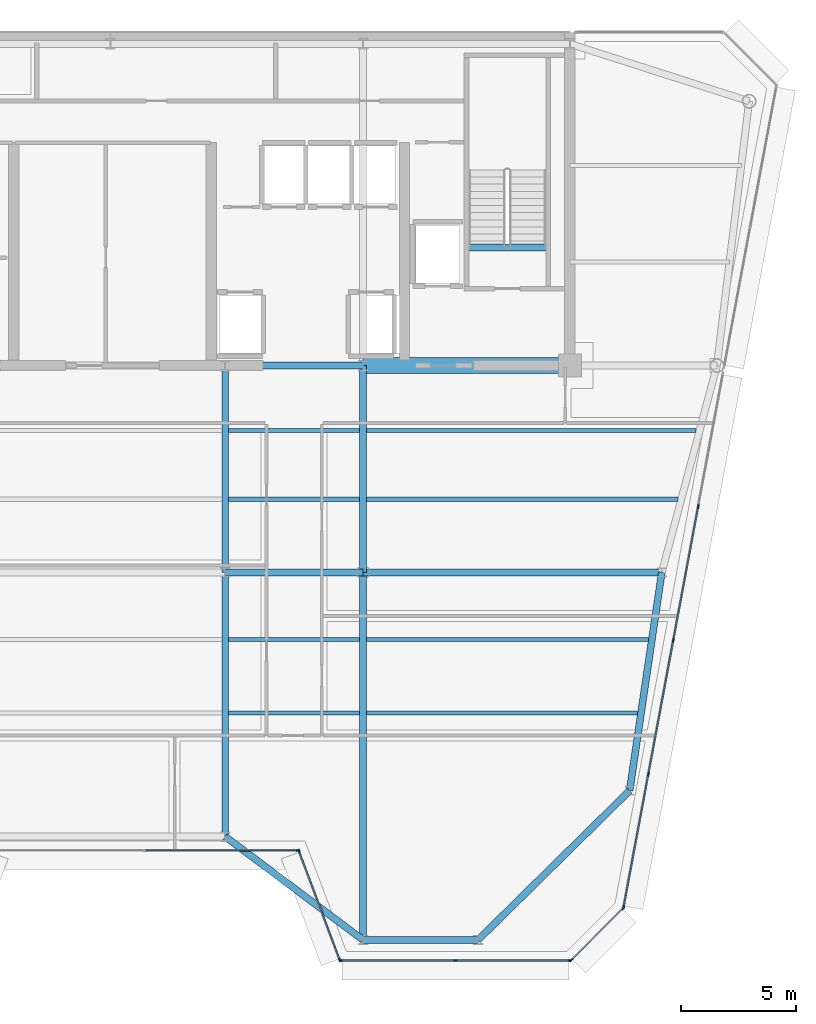
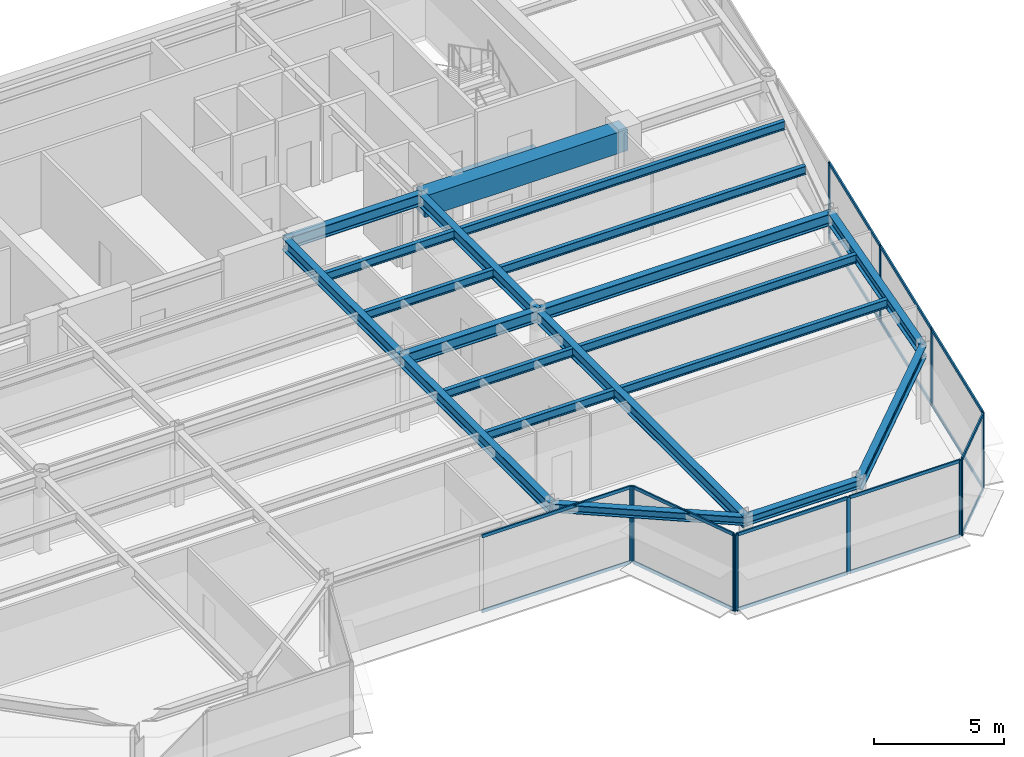
# One storey, part 5 of 18: 28 members, 21 beams, 5 elements without a shape of their own.
"""IFC4 building model written with IfcOpenShell, lengths in metres."""

from ifc_helpers import new_model, si_unit, direction, frame, origin, origin_2d, place, context, subcontext, project, spatial, rectangle, i_section, extrude, source, transform, mapped, material, layer, layer_set, material_profile, profile_set, type_object, element, aggregate, save


model = new_model("IFC4")

# Units and contexts
model_context = context("Model", 3, precision=1e-05, world=origin(), true_north=direction((0.0, 1.0)))
body_context = subcontext(model_context, "Body", "Model", "MODEL_VIEW")
ifc_project = project(units=[si_unit("LENGTHUNIT", "METRE"), si_unit("AREAUNIT", "SQUARE_METRE"), si_unit("VOLUMEUNIT", "CUBIC_METRE"), si_unit("PLANEANGLEUNIT", "RADIAN"), si_unit("MASSUNIT", "GRAM", prefix="KILO")], contexts=[model_context])

# Site, building, storey
site_placement = place(None, origin())
site = spatial("IfcSite", under=ifc_project, at=site_placement, CompositionType="ELEMENT")
building_placement = place(site_placement, origin())
building = spatial("IfcBuilding", under=site, at=building_placement, Name="Vaeldorn Concourse Tower", CompositionType="ELEMENT")
storey_placement = place(building_placement, frame((0.0, 0.0, 253.60009765625)))
storey = spatial("IfcBuildingStorey", under=building, at=storey_placement, Name="L65", CompositionType="ELEMENT", Elevation=253.60009765625)

# Beams
ifc_material_1 = material(Name="Concrete C50/60", Category="concrete")
ifc_material_profile_1 = material_profile(ifc_material_1, rectangle(XDim=0.699951171875, YDim=1.0, at=origin_2d()), Name="RC 700x1000")
ifc_profile_set_1 = profile_set([ifc_material_profile_1], Name="Concrete C50/60")
beam_type_1 = type_object("IfcBeamType", Name="BM-CB-RC700", PredefinedType="BEAM", material=ifc_profile_set_1)
shared_shape_1 = source(origin(), body_context, "Body", "SweptSolid", [
    extrude(rectangle(XDim=0.699951171875, YDim=1.0, at=origin_2d()), origin(), (0.0, 0.0, 1.0), 9.0),
])
beam_1_placement = place(storey_placement, frame((45.0, 36.5, 3.079833984375), z_axis=(1.0, 0.0, 0.0), x_axis=(0.0, 1.0, 0.0)))
element("IfcBeam", 1, at=beam_1_placement, inside=storey, type_object=beam_type_1, Name="Core Coupling Beam L65-2", PredefinedType="BEAM", context=body_context, shape_type="MappedRepresentation", body=[
    mapped(shared_shape_1, transform((0.0, 0.0, 0.0), scale=1.0)),
])
ifc_material_2 = material(Name="Steel S355", Category="steel")
ifc_material_profile_2 = material_profile(ifc_material_2, i_section(OverallWidth=0.300048828125, OverallDepth=0.340087890625, WebThickness=0.011962890625, FlangeThickness=0.021484375, FilletRadius=0.027099609375, at=origin_2d()), Name="HEB 340")
ifc_profile_set_2 = profile_set([ifc_material_profile_2], Name="Steel S355")
beam_type_2 = type_object("IfcBeamType", Name="BM-ST-TRIM", PredefinedType="BEAM", material=ifc_profile_set_2)
shared_shape_2 = source(origin(), body_context, "Body", "SweptSolid", [
    extrude(i_section(OverallWidth=0.300048828125, OverallDepth=0.340087890625, WebThickness=0.011962890625, FlangeThickness=0.021484375, FilletRadius=0.027099609375, at=origin_2d()), origin(), (0.0, 0.0, 1.0), 3.590087890625),
])
beam_2_placement = place(storey_placement, frame((49.47998046875, 41.639892578125, -0.39013671875), z_axis=(1.0, 0.0, 0.0), x_axis=(0.0, 1.0, 0.0)))
element("IfcBeam", 2, at=beam_2_placement, inside=storey, type_object=beam_type_2, Name="Stair Landing Trimmer Beam ST-2 L65", PredefinedType="BEAM", context=body_context, shape_type="MappedRepresentation", body=[
    mapped(shared_shape_2, transform((0.0, 0.0, 0.0), scale=1.0)),
])
ifc_material_profile_3 = material_profile(ifc_material_2, i_section(OverallWidth=0.300048828125, OverallDepth=0.39990234375, WebThickness=0.013427734375, FlangeThickness=0.02392578125, FilletRadius=0.027099609375, at=origin_2d()), Name="HEB 400")
ifc_profile_set_3 = profile_set([ifc_material_profile_3], Name="Steel S355")
beam_type_3 = type_object("IfcBeamType", Name="BM-SP-HEB400", PredefinedType="SPANDREL", material=ifc_profile_set_3)
shared_shape_3 = source(origin(), body_context, "Body", "SweptSolid", [
    extrude(i_section(OverallWidth=0.300048828125, OverallDepth=0.39990234375, WebThickness=0.013427734375, FlangeThickness=0.02392578125, FilletRadius=0.027099609375, at=origin_2d()), origin(), (0.0, 0.0, 1.0), 5.0),
])
beam_3_placement = place(storey_placement, frame((45.0, 11.5, 3.3798828125), z_axis=(1.0, 0.0, 0.0), x_axis=(0.0, 1.0, 0.0)))
element("IfcBeam", 3, at=beam_3_placement, inside=storey, type_object=beam_type_3, Name="Beam BM-L65-C-SF5-C-SF6", PredefinedType="SPANDREL", context=body_context, shape_type="MappedRepresentation", body=[
    mapped(shared_shape_3, transform((0.0, 0.0, 0.0), scale=1.0)),
])
shared_shape_4 = source(origin(), body_context, "Body", "SweptSolid", [
    extrude(i_section(OverallWidth=0.300048828125, OverallDepth=0.39990234375, WebThickness=0.013427734375, FlangeThickness=0.02392578125, FilletRadius=0.027099609375, at=origin_2d()), origin(), (0.0, 0.0, 1.0), 7.5),
])
beam_4_placement = place(storey_placement, frame((39.0, 16.0, 3.3798828125), z_axis=(0.8, -0.6, 0.0), x_axis=(0.6, 0.8, 0.0)))
element("IfcBeam", 4, at=beam_4_placement, inside=storey, type_object=beam_type_3, Name="Beam BM-L65-C-SF4-C-SF5", PredefinedType="SPANDREL", context=body_context, shape_type="MappedRepresentation", body=[
    mapped(shared_shape_4, transform((0.0, 0.0, 0.0), scale=1.0)),
])
ifc_material_profile_4 = material_profile(ifc_material_2, i_section(OverallWidth=0.179931640625, OverallDepth=0.39990234375, WebThickness=0.008544921875, FlangeThickness=0.013427734375, FilletRadius=0.02099609375, at=origin_2d()), Name="IPE 400")
ifc_profile_set_4 = profile_set([ifc_material_profile_4], Name="Steel S355")
beam_type_4 = type_object("IfcBeamType", Name="BM-JS-IPE400", PredefinedType="JOIST", material=ifc_profile_set_4)
shared_shape_5 = source(origin(), body_context, "Body", "SweptSolid", [
    extrude(i_section(OverallWidth=0.179931640625, OverallDepth=0.39990234375, WebThickness=0.008544921875, FlangeThickness=0.013427734375, FilletRadius=0.02099609375, at=origin_2d()), origin(), (0.0, 0.0, 1.0), 11.798095703125),
])
beam_5_placement = place(storey_placement, frame((45.14990234375, 21.3798828125, 3.3798828125), z_axis=(1.0, 0.0, 0.0), x_axis=(0.0, 1.0, 0.0)))
element("IfcBeam", 5, at=beam_5_placement, inside=storey, type_object=beam_type_4, Name="Beam JS-L65-E1-213", PredefinedType="JOIST", context=body_context, shape_type="MappedRepresentation", body=[
    mapped(shared_shape_5, transform((0.0, 0.0, 0.0), scale=1.0)),
])
shared_shape_6 = source(origin(), body_context, "Body", "SweptSolid", [
    extrude(i_section(OverallWidth=0.179931640625, OverallDepth=0.39990234375, WebThickness=0.008544921875, FlangeThickness=0.013427734375, FilletRadius=0.02099609375, at=origin_2d()), origin(), (0.0, 0.0, 1.0), 5.7001953125),
])
for number, where, z_axis, x_axis, name in (
    (6, (39.14990234375, 21.3798828125, 3.3798828125), (1.0, 0.0, 0.0), (0.0, 1.0, 0.0), "Beam JS-L65-E2-213"),
    (7, (39.14990234375, 24.580078125, 3.3798828125), (1.0, 0.0, 0.0), (0.0, 1.0, 0.0), "Beam JS-L65-E2-245"),
    (8, (39.14990234375, 30.679931640625, 3.3798828125), (1.0, 0.0, 0.0), (0.0, 1.0, 0.0), "Beam JS-L65-E2-306"),
    (9, (39.14990234375, 33.679931640625, 3.3798828125), (1.0, 0.0, 0.0), (0.0, 1.0, 0.0), "Beam JS-L65-E2-336"),
):
    element("IfcBeam", number, at=place(storey_placement, frame(where, z_axis=z_axis, x_axis=x_axis)), inside=storey, type_object=beam_type_4, Name=name, PredefinedType="JOIST", context=body_context, shape_type="MappedRepresentation", body=[
        mapped(shared_shape_6, transform((0.0, 0.0, 0.0), scale=1.0)),
    ])
shared_shape_7 = source(origin(), body_context, "Body", "SweptSolid", [
    extrude(i_section(OverallWidth=0.179931640625, OverallDepth=0.39990234375, WebThickness=0.008544921875, FlangeThickness=0.013427734375, FilletRadius=0.02099609375, at=origin_2d()), origin(), (0.0, 0.0, 1.0), 12.269775390625),
])
beam_6_placement = place(storey_placement, frame((45.14990234375, 24.580078125, 3.3798828125), z_axis=(1.0, 0.0, 0.0), x_axis=(0.0, 1.0, 0.0)))
element("IfcBeam", 10, at=beam_6_placement, inside=storey, type_object=beam_type_4, Name="Beam JS-L65-E1-245", PredefinedType="JOIST", context=body_context, shape_type="MappedRepresentation", body=[
    mapped(shared_shape_7, transform((0.0, 0.0, 0.0), scale=1.0)),
])
shared_shape_8 = source(origin(), body_context, "Body", "SweptSolid", [
    extrude(i_section(OverallWidth=0.179931640625, OverallDepth=0.39990234375, WebThickness=0.008544921875, FlangeThickness=0.013427734375, FilletRadius=0.02099609375, at=origin_2d()), origin(), (0.0, 0.0, 1.0), 13.548095703125),
])
beam_7_placement = place(storey_placement, frame((45.14990234375, 30.679931640625, 3.3798828125), z_axis=(1.0, 0.0, 0.0), x_axis=(0.0, 1.0, 0.0)))
element("IfcBeam", 11, at=beam_7_placement, inside=storey, type_object=beam_type_4, Name="Beam JS-L65-E1-306", PredefinedType="JOIST", context=body_context, shape_type="MappedRepresentation", body=[
    mapped(shared_shape_8, transform((0.0, 0.0, 0.0), scale=1.0)),
])
shared_shape_9 = source(origin(), body_context, "Body", "SweptSolid", [
    extrude(i_section(OverallWidth=0.179931640625, OverallDepth=0.39990234375, WebThickness=0.008544921875, FlangeThickness=0.013427734375, FilletRadius=0.02099609375, at=origin_2d()), origin(), (0.0, 0.0, 1.0), 14.34814453125),
])
beam_8_placement = place(storey_placement, frame((45.14990234375, 33.679931640625, 3.3798828125), z_axis=(1.0, 0.0, 0.0), x_axis=(0.0, 1.0, 0.0)))
element("IfcBeam", 12, at=beam_8_placement, inside=storey, type_object=beam_type_4, Name="Beam JS-L65-E1-336", PredefinedType="JOIST", context=body_context, shape_type="MappedRepresentation", body=[
    mapped(shared_shape_9, transform((0.0, 0.0, 0.0), scale=1.0)),
])
ifc_material_profile_5 = material_profile(ifc_material_2, i_section(OverallWidth=0.300048828125, OverallDepth=0.550048828125, WebThickness=0.014892578125, FlangeThickness=0.029052734375, FilletRadius=0.027099609375, at=origin_2d()), Name="HEB 550")
ifc_profile_set_5 = profile_set([ifc_material_profile_5], Name="Steel S355")
beam_type_5 = type_object("IfcBeamType", Name="BM-PG-HEB550", PredefinedType="BEAM", material=ifc_profile_set_5)
shared_shape_10 = source(origin(), body_context, "Body", "SweptSolid", [
    extrude(i_section(OverallWidth=0.300048828125, OverallDepth=0.550048828125, WebThickness=0.014892578125, FlangeThickness=0.029052734375, FilletRadius=0.027099609375, at=origin_2d()), origin(), (0.0, 0.0, 1.0), 6.0),
])
for number, where, z_axis, x_axis, name in (
    (13, (39.0, 36.5, 3.304931640625), (1.0, 0.0, 0.0), (0.0, 1.0, 0.0), "Beam BM-L65-C-FC4-C-FC5"),
    (14, (39.0, 27.5, 3.304931640625), (1.0, 0.0, 0.0), (0.0, 1.0, 0.0), "Beam BM-L65-C-TW3-C-TW4"),
):
    element("IfcBeam", number, at=place(storey_placement, frame(where, z_axis=z_axis, x_axis=x_axis)), inside=storey, type_object=beam_type_5, Name=name, PredefinedType="BEAM", context=body_context, shape_type="MappedRepresentation", body=[
        mapped(shared_shape_10, transform((0.0, 0.0, 0.0), scale=1.0)),
    ])
shared_shape_11 = source(origin(), body_context, "Body", "SweptSolid", [
    extrude(i_section(OverallWidth=0.300048828125, OverallDepth=0.550048828125, WebThickness=0.014892578125, FlangeThickness=0.029052734375, FilletRadius=0.027099609375, at=origin_2d()), origin(), (0.0, 0.0, 1.0), 9.0),
])
for number, where, z_axis, x_axis, name in (
    (15, (39.0, 27.5, 3.304931640625), (0.0, 1.0, 0.0), (-1.0, 0.0, 0.0), "Beam BM-L65-C-TW3-C-FC4"),
    (16, (45.0, 27.5, 3.304931640625), (0.0, 1.0, 0.0), (-1.0, 0.0, 0.0), "Beam BM-L65-C-TW4-C-FC5"),
):
    element("IfcBeam", number, at=place(storey_placement, frame(where, z_axis=z_axis, x_axis=x_axis)), inside=storey, type_object=beam_type_5, Name=name, PredefinedType="BEAM", context=body_context, shape_type="MappedRepresentation", body=[
        mapped(shared_shape_11, transform((0.0, 0.0, 0.0), scale=1.0)),
    ])
shared_shape_12 = source(origin(), body_context, "Body", "SweptSolid", [
    extrude(i_section(OverallWidth=0.300048828125, OverallDepth=0.550048828125, WebThickness=0.014892578125, FlangeThickness=0.029052734375, FilletRadius=0.027099609375, at=origin_2d()), origin(), (0.0, 0.0, 1.0), 13.0),
])
beam_9_placement = place(storey_placement, frame((45.0, 27.5, 3.304931640625), z_axis=(1.0, 0.0, 0.0), x_axis=(0.0, 1.0, 0.0)))
element("IfcBeam", 17, at=beam_9_placement, inside=storey, type_object=beam_type_5, Name="Beam BM-L65-C-TW4-C-FLE1", PredefinedType="BEAM", context=body_context, shape_type="MappedRepresentation", body=[
    mapped(shared_shape_12, transform((0.0, 0.0, 0.0), scale=1.0)),
])
shared_shape_13 = source(origin(), body_context, "Body", "SweptSolid", [
    extrude(i_section(OverallWidth=0.300048828125, OverallDepth=0.550048828125, WebThickness=0.014892578125, FlangeThickness=0.029052734375, FilletRadius=0.027099609375, at=origin_2d()), origin(), (0.0, 0.0, 1.0), 9.6025390625),
])
beam_10_placement = place(storey_placement, frame((58.0, 27.5, 3.304931640625), z_axis=(-0.145783835977, -0.989316467652, 0.0), x_axis=(0.989316467652, -0.145783835977, 0.0)))
element("IfcBeam", 18, at=beam_10_placement, inside=storey, type_object=beam_type_5, Name="Beam BM-L65-C-FLE1-C-FLE2", PredefinedType="BEAM", context=body_context, shape_type="MappedRepresentation", body=[
    mapped(shared_shape_13, transform((0.0, 0.0, 0.0), scale=1.0)),
])
shared_shape_14 = source(origin(), body_context, "Body", "SweptSolid", [
    extrude(i_section(OverallWidth=0.300048828125, OverallDepth=0.550048828125, WebThickness=0.014892578125, FlangeThickness=0.029052734375, FilletRadius=0.027099609375, at=origin_2d()), origin(), (0.0, 0.0, 1.0), 9.263427734375),
])
beam_11_placement = place(storey_placement, frame((50.0, 11.5, 3.304931640625), z_axis=(0.71248897494, 0.701683305053, 0.0), x_axis=(-0.701683305053, 0.71248897494, 0.0)))
element("IfcBeam", 19, at=beam_11_placement, inside=storey, type_object=beam_type_5, Name="Beam BM-L65-C-SF6-C-FLE2", PredefinedType="BEAM", context=body_context, shape_type="MappedRepresentation", body=[
    mapped(shared_shape_14, transform((0.0, 0.0, 0.0), scale=1.0)),
])
shared_shape_15 = source(origin(), body_context, "Body", "SweptSolid", [
    extrude(i_section(OverallWidth=0.300048828125, OverallDepth=0.550048828125, WebThickness=0.014892578125, FlangeThickness=0.029052734375, FilletRadius=0.027099609375, at=origin_2d()), origin(), (0.0, 0.0, 1.0), 16.0),
])
beam_12_placement = place(storey_placement, frame((45.0, 11.5, 3.304931640625), z_axis=(0.0, 1.0, 0.0), x_axis=(-1.0, 0.0, 0.0)))
element("IfcBeam", 20, at=beam_12_placement, inside=storey, type_object=beam_type_5, Name="Beam BM-L65-C-SF5-C-TW4", PredefinedType="BEAM", context=body_context, shape_type="MappedRepresentation", body=[
    mapped(shared_shape_15, transform((0.0, 0.0, 0.0), scale=1.0)),
])
shared_shape_16 = source(origin(), body_context, "Body", "SweptSolid", [
    extrude(i_section(OverallWidth=0.300048828125, OverallDepth=0.550048828125, WebThickness=0.014892578125, FlangeThickness=0.029052734375, FilletRadius=0.027099609375, at=origin_2d()), origin(), (0.0, 0.0, 1.0), 11.5),
])
beam_13_placement = place(storey_placement, frame((39.0, 16.0, 3.304931640625), z_axis=(0.0, 1.0, 0.0), x_axis=(-1.0, 0.0, 0.0)))
element("IfcBeam", 21, at=beam_13_placement, inside=storey, type_object=beam_type_5, Name="Beam BM-L65-C-SF4-C-TW3", PredefinedType="BEAM", context=body_context, shape_type="MappedRepresentation", body=[
    mapped(shared_shape_16, transform((0.0, 0.0, 0.0), scale=1.0)),
])

# Curtain wall, member
ifc_material_3 = material(Name="Anodised Bronze Aluminium", Category="aluminium")
ifc_layer = layer(ifc_material_3, 0.179931640625)
ifc_layer_set = layer_set([ifc_layer], Name="Anodised Bronze Aluminium")
curtain_wall_type = type_object("IfcCurtainWallType", Name="CW-SYS-05", PredefinedType="NOTDEFINED", material=ifc_layer_set)
curtain_wall_1_placement = place(storey_placement, origin())
curtain_wall_1 = element("IfcCurtainWall", 22, at=curtain_wall_1_placement, inside=storey, type_object=curtain_wall_type, Name="Unitised Curtain Wall CW-L65-E03-1", PredefinedType="NOTDEFINED")
ifc_material_profile_6 = material_profile(ifc_material_3, rectangle(XDim=0.06494140625, YDim=0.169921875, at=origin_2d()), Name="CWM 65x170")
ifc_profile_set_6 = profile_set([ifc_material_profile_6], Name="Anodised Bronze Aluminium")
member_type_1 = type_object("IfcMemberType", Name="CWM-BRONZE-170", PredefinedType="MULLION", material=ifc_profile_set_6)
shared_shape_17 = source(origin(), body_context, "Body", "SweptSolid", [
    extrude(rectangle(XDim=0.06494140625, YDim=0.169921875, at=origin_2d()), origin(), (0.0, 0.0, 1.0), 3.579833984375),
])
member_1_placement = place(storey_placement, frame((42.16748046875, 15.39990234375, 0.0), z_axis=(0.0, 0.0, 1.0), x_axis=(0.0, 1.0, 0.0)))
member_1 = element("IfcMember", 23, at=member_1_placement, type_object=member_type_1, Name="CW-05 mullion 3", PredefinedType="MULLION", context=body_context, shape_type="MappedRepresentation", body=[
    mapped(shared_shape_17, transform((0.0, 0.0, 0.0), scale=1.0)),
])

# Curtain wall, members
curtain_wall_2_placement = place(storey_placement, origin())
curtain_wall_2 = element("IfcCurtainWall", 24, at=curtain_wall_2_placement, inside=storey, type_object=curtain_wall_type, Name="Unitised Curtain Wall CW-L65-E04-1", PredefinedType="NOTDEFINED")
member_2_placement = place(storey_placement, frame((42.21142578125, 15.36962890625, 0.0), z_axis=(0.0, 0.0, 1.0), x_axis=(0.936329177566, 0.351123441595, 0.0)))
member_2 = element("IfcMember", 25, at=member_2_placement, type_object=member_type_1, Name="CW-05 mullion 1", PredefinedType="MULLION", context=body_context, shape_type="MappedRepresentation", body=[
    mapped(shared_shape_17, transform((0.0, 0.0, 0.0), scale=1.0)),
])
member_3_placement = place(storey_placement, frame((43.988525390625, 10.63037109375, 0.0), z_axis=(0.0, 0.0, 1.0), x_axis=(0.936329177566, 0.351123441595, 0.0)))
member_3 = element("IfcMember", 26, at=member_3_placement, type_object=member_type_1, Name="CW-05 mullion 2", PredefinedType="MULLION", context=body_context, shape_type="MappedRepresentation", body=[
    mapped(shared_shape_17, transform((0.0, 0.0, 0.0), scale=1.0)),
])

curtain_wall_3_placement = place(storey_placement, origin())
curtain_wall_3 = element("IfcCurtainWall", 27, at=curtain_wall_3_placement, inside=storey, type_object=curtain_wall_type, Name="Unitised Curtain Wall CW-L65-E05-1", PredefinedType="NOTDEFINED")
member_4_placement = place(storey_placement, frame((44.032470703125, 10.60009765625, 0.0), z_axis=(0.0, 0.0, 1.0), x_axis=(0.0, 1.0, 0.0)))
member_4 = element("IfcMember", 28, at=member_4_placement, type_object=member_type_1, Name="CW-05 mullion 1", PredefinedType="MULLION", context=body_context, shape_type="MappedRepresentation", body=[
    mapped(shared_shape_17, transform((0.0, 0.0, 0.0), scale=1.0)),
])
member_5_placement = place(storey_placement, frame((49.01708984375, 10.60009765625, 0.0), z_axis=(0.0, 0.0, 1.0), x_axis=(0.0, 1.0, 0.0)))
member_5 = element("IfcMember", 29, at=member_5_placement, type_object=member_type_1, Name="CW-05 mullion 2", PredefinedType="MULLION", context=body_context, shape_type="MappedRepresentation", body=[
    mapped(shared_shape_17, transform((0.0, 0.0, 0.0), scale=1.0)),
])
member_6_placement = place(storey_placement, frame((54.00146484375, 10.60009765625, 0.0), z_axis=(0.0, 0.0, 1.0), x_axis=(0.0, 1.0, 0.0)))
member_6 = element("IfcMember", 30, at=member_6_placement, type_object=member_type_1, Name="CW-05 mullion 3", PredefinedType="MULLION", context=body_context, shape_type="MappedRepresentation", body=[
    mapped(shared_shape_17, transform((0.0, 0.0, 0.0), scale=1.0)),
])

curtain_wall_4_placement = place(storey_placement, origin())
curtain_wall_4 = element("IfcCurtainWall", 31, at=curtain_wall_4_placement, inside=storey, type_object=curtain_wall_type, Name="Unitised Curtain Wall CW-L65-E06-1", PredefinedType="NOTDEFINED")
member_7_placement = place(storey_placement, frame((54.056884765625, 10.623046875, 0.0), z_axis=(0.0, 0.0, 1.0), x_axis=(-0.707106781187, 0.707106781187, 0.0)))
member_7 = element("IfcMember", 32, at=member_7_placement, type_object=member_type_1, Name="CW-05 mullion 1", PredefinedType="MULLION", context=body_context, shape_type="MappedRepresentation", body=[
    mapped(shared_shape_17, transform((0.0, 0.0, 0.0), scale=1.0)),
])
member_8_placement = place(storey_placement, frame((56.31103515625, 12.876953125, 0.0), z_axis=(0.0, 0.0, 1.0), x_axis=(-0.707106781187, 0.707106781187, 0.0)))
member_8 = element("IfcMember", 33, at=member_8_placement, type_object=member_type_1, Name="CW-05 mullion 2", PredefinedType="MULLION", context=body_context, shape_type="MappedRepresentation", body=[
    mapped(shared_shape_17, transform((0.0, 0.0, 0.0), scale=1.0)),
])

curtain_wall_5_placement = place(storey_placement, origin())
curtain_wall_5 = element("IfcCurtainWall", 34, at=curtain_wall_5_placement, inside=storey, type_object=curtain_wall_type, Name="Unitised Curtain Wall CW-L65-E07-1", PredefinedType="NOTDEFINED")
member_9_placement = place(storey_placement, frame((56.33984375, 12.931884765625, 0.0), z_axis=(0.0, 0.0, 1.0), x_axis=(-0.983102653673, 0.18305510739, 0.0)))
member_9 = element("IfcMember", 35, at=member_9_placement, type_object=member_type_1, Name="CW-05 mullion 1", PredefinedType="MULLION", context=body_context, shape_type="MappedRepresentation", body=[
    mapped(shared_shape_17, transform((0.0, 0.0, 0.0), scale=1.0)),
])
member_10_placement = place(storey_placement, frame((57.41796875, 18.72119140625, 0.0), z_axis=(0.0, 0.0, 1.0), x_axis=(-0.983102653673, 0.18305510739, 0.0)))
member_10 = element("IfcMember", 36, at=member_10_placement, type_object=member_type_1, Name="CW-05 mullion 2", PredefinedType="MULLION", context=body_context, shape_type="MappedRepresentation", body=[
    mapped(shared_shape_17, transform((0.0, 0.0, 0.0), scale=1.0)),
])
member_11_placement = place(storey_placement, frame((58.501953125, 24.54248046875, 0.0), z_axis=(0.0, 0.0, 1.0), x_axis=(-0.983102653673, 0.18305510739, 0.0)))
member_11 = element("IfcMember", 37, at=member_11_placement, type_object=member_type_1, Name="CW-05 mullion 3", PredefinedType="MULLION", context=body_context, shape_type="MappedRepresentation", body=[
    mapped(shared_shape_17, transform((0.0, 0.0, 0.0), scale=1.0)),
])
member_12_placement = place(storey_placement, frame((59.585693359375, 30.36376953125, 0.0), z_axis=(0.0, 0.0, 1.0), x_axis=(-0.983102653673, 0.18305510739, 0.0)))
member_12 = element("IfcMember", 38, at=member_12_placement, type_object=member_type_1, Name="CW-05 mullion 4", PredefinedType="MULLION", context=body_context, shape_type="MappedRepresentation", body=[
    mapped(shared_shape_17, transform((0.0, 0.0, 0.0), scale=1.0)),
])

# Member
ifc_material_profile_7 = material_profile(ifc_material_3, rectangle(XDim=0.06494140625, YDim=0.14990234375, at=origin_2d()), Name="CWT 65x150")
ifc_profile_set_7 = profile_set([ifc_material_profile_7], Name="Anodised Bronze Aluminium")
member_type_2 = type_object("IfcMemberType", Name="CWT-BRONZE-150", PredefinedType="USERDEFINED", material=ifc_profile_set_7)
shared_shape_18 = source(origin(), body_context, "Body", "SweptSolid", [
    extrude(rectangle(XDim=0.06494140625, YDim=0.14990234375, at=origin_2d()), origin(), (0.0, 0.0, 1.0), 4.996337890625),
])
member_13_placement = place(storey_placement, frame((42.222900390625, 15.339111328125, 0.032470703125), z_axis=(0.351134151405, -0.936325161318, 0.0), x_axis=(0.936325161318, 0.351134151405, 0.0)))
member_13 = element("IfcMember", 39, at=member_13_placement, type_object=member_type_2, Name="CW-05 transom 1.1", ObjectType="TRANSOM", PredefinedType="USERDEFINED", context=body_context, shape_type="MappedRepresentation", body=[
    mapped(shared_shape_18, transform((0.0, 0.0, 0.0), scale=1.0)),
])

member_14_placement = place(storey_placement, frame((42.222900390625, 15.339111328125, 3.54736328125), z_axis=(0.351134151405, -0.936325161318, 0.0), x_axis=(0.936325161318, 0.351134151405, 0.0)))
member_14 = element("IfcMember", 40, at=member_14_placement, type_object=member_type_2, Name="CW-05 transom 1.2", ObjectType="TRANSOM", PredefinedType="USERDEFINED", context=body_context, shape_type="MappedRepresentation", body=[
    mapped(shared_shape_18, transform((0.0, 0.0, 0.0), scale=1.0)),
])

aggregate(curtain_wall_2, [member_2, member_3, member_13, member_14])

shared_shape_19 = source(origin(), body_context, "Body", "SweptSolid", [
    extrude(rectangle(XDim=0.06494140625, YDim=0.14990234375, at=origin_2d()), origin(), (0.0, 0.0, 1.0), 6.6025390625),
])
member_15_placement = place(storey_placement, frame((35.532470703125, 15.39990234375, 0.032470703125), z_axis=(1.0, 0.0, 0.0), x_axis=(0.0, 1.0, 0.0)))
member_15 = element("IfcMember", 41, at=member_15_placement, type_object=member_type_2, Name="CW-05 transom 2.1", ObjectType="TRANSOM", PredefinedType="USERDEFINED", context=body_context, shape_type="MappedRepresentation", body=[
    mapped(shared_shape_19, transform((0.0, 0.0, 0.0), scale=1.0)),
])

member_16_placement = place(storey_placement, frame((35.532470703125, 15.39990234375, 3.54736328125), z_axis=(1.0, 0.0, 0.0), x_axis=(0.0, 1.0, 0.0)))
member_16 = element("IfcMember", 42, at=member_16_placement, type_object=member_type_2, Name="CW-05 transom 2.2", ObjectType="TRANSOM", PredefinedType="USERDEFINED", context=body_context, shape_type="MappedRepresentation", body=[
    mapped(shared_shape_19, transform((0.0, 0.0, 0.0), scale=1.0)),
])

aggregate(curtain_wall_1, [member_1, member_15, member_16])

shared_shape_20 = source(origin(), body_context, "Body", "SweptSolid", [
    extrude(rectangle(XDim=0.06494140625, YDim=0.14990234375, at=origin_2d()), origin(), (0.0, 0.0, 1.0), 3.12255859375),
])
member_17_placement = place(storey_placement, frame((54.080078125, 10.64599609375, 0.032470703125), z_axis=(0.707106781187, 0.707106781187, 0.0), x_axis=(-0.707106781187, 0.707106781187, 0.0)))
member_17 = element("IfcMember", 43, at=member_17_placement, type_object=member_type_2, Name="CW-05 transom 1.1", ObjectType="TRANSOM", PredefinedType="USERDEFINED", context=body_context, shape_type="MappedRepresentation", body=[
    mapped(shared_shape_20, transform((0.0, 0.0, 0.0), scale=1.0)),
])

member_18_placement = place(storey_placement, frame((54.080078125, 10.64599609375, 3.54736328125), z_axis=(0.707106781187, 0.707106781187, 0.0), x_axis=(-0.707106781187, 0.707106781187, 0.0)))
member_18 = element("IfcMember", 44, at=member_18_placement, type_object=member_type_2, Name="CW-05 transom 1.2", ObjectType="TRANSOM", PredefinedType="USERDEFINED", context=body_context, shape_type="MappedRepresentation", body=[
    mapped(shared_shape_20, transform((0.0, 0.0, 0.0), scale=1.0)),
])

aggregate(curtain_wall_4, [member_7, member_8, member_17, member_18])

shared_shape_21 = source(origin(), body_context, "Body", "SweptSolid", [
    extrude(rectangle(XDim=0.06494140625, YDim=0.14990234375, at=origin_2d()), origin(), (0.0, 0.0, 1.0), 5.82373046875),
])
member_19_placement = place(storey_placement, frame((56.345947265625, 12.9638671875, 0.032470703125), z_axis=(0.183030414843, 0.983107251139, 0.0), x_axis=(-0.983107251139, 0.183030414843, 0.0)))
member_19 = element("IfcMember", 45, at=member_19_placement, type_object=member_type_2, Name="CW-05 transom 1.1", ObjectType="TRANSOM", PredefinedType="USERDEFINED", context=body_context, shape_type="MappedRepresentation", body=[
    mapped(shared_shape_21, transform((0.0, 0.0, 0.0), scale=1.0)),
])

member_20_placement = place(storey_placement, frame((56.345947265625, 12.9638671875, 3.54736328125), z_axis=(0.183030414843, 0.983107251139, 0.0), x_axis=(-0.983107251139, 0.183030414843, 0.0)))
member_20 = element("IfcMember", 46, at=member_20_placement, type_object=member_type_2, Name="CW-05 transom 1.2", ObjectType="TRANSOM", PredefinedType="USERDEFINED", context=body_context, shape_type="MappedRepresentation", body=[
    mapped(shared_shape_21, transform((0.0, 0.0, 0.0), scale=1.0)),
])

shared_shape_22 = source(origin(), body_context, "Body", "SweptSolid", [
    extrude(rectangle(XDim=0.06494140625, YDim=0.14990234375, at=origin_2d()), origin(), (0.0, 0.0, 1.0), 5.856201171875),
])
member_21_placement = place(storey_placement, frame((57.423828125, 18.753173828125, 0.032470703125), z_axis=(0.18305503402, 0.983102667334, 0.0), x_axis=(-0.983102667334, 0.18305503402, 0.0)))
member_21 = element("IfcMember", 47, at=member_21_placement, type_object=member_type_2, Name="CW-05 transom 2.1", ObjectType="TRANSOM", PredefinedType="USERDEFINED", context=body_context, shape_type="MappedRepresentation", body=[
    mapped(shared_shape_22, transform((0.0, 0.0, 0.0), scale=1.0)),
])

member_22_placement = place(storey_placement, frame((57.423828125, 18.753173828125, 3.54736328125), z_axis=(0.18305503402, 0.983102667334, 0.0), x_axis=(-0.983102667334, 0.18305503402, 0.0)))
member_22 = element("IfcMember", 48, at=member_22_placement, type_object=member_type_2, Name="CW-05 transom 2.2", ObjectType="TRANSOM", PredefinedType="USERDEFINED", context=body_context, shape_type="MappedRepresentation", body=[
    mapped(shared_shape_22, transform((0.0, 0.0, 0.0), scale=1.0)),
])

member_23_placement = place(storey_placement, frame((58.5078125, 24.574462890625, 0.032470703125), z_axis=(0.18305503402, 0.983102667334, 0.0), x_axis=(-0.983102667334, 0.18305503402, 0.0)))
member_23 = element("IfcMember", 49, at=member_23_placement, type_object=member_type_2, Name="CW-05 transom 3.1", ObjectType="TRANSOM", PredefinedType="USERDEFINED", context=body_context, shape_type="MappedRepresentation", body=[
    mapped(shared_shape_22, transform((0.0, 0.0, 0.0), scale=1.0)),
])

member_24_placement = place(storey_placement, frame((58.5078125, 24.574462890625, 3.54736328125), z_axis=(0.18305503402, 0.983102667334, 0.0), x_axis=(-0.983102667334, 0.18305503402, 0.0)))
member_24 = element("IfcMember", 50, at=member_24_placement, type_object=member_type_2, Name="CW-05 transom 3.2", ObjectType="TRANSOM", PredefinedType="USERDEFINED", context=body_context, shape_type="MappedRepresentation", body=[
    mapped(shared_shape_22, transform((0.0, 0.0, 0.0), scale=1.0)),
])

aggregate(curtain_wall_5, [member_9, member_10, member_11, member_12, member_19, member_20, member_21, member_22, member_23, member_24])

shared_shape_23 = source(origin(), body_context, "Body", "SweptSolid", [
    extrude(rectangle(XDim=0.06494140625, YDim=0.14990234375, at=origin_2d()), origin(), (0.0, 0.0, 1.0), 4.919677734375),
])
member_25_placement = place(storey_placement, frame((44.06494140625, 10.60009765625, 0.032470703125), z_axis=(1.0, 0.0, 0.0), x_axis=(0.0, 1.0, 0.0)))
member_25 = element("IfcMember", 51, at=member_25_placement, type_object=member_type_2, Name="CW-05 transom 1.1", ObjectType="TRANSOM", PredefinedType="USERDEFINED", context=body_context, shape_type="MappedRepresentation", body=[
    mapped(shared_shape_23, transform((0.0, 0.0, 0.0), scale=1.0)),
])

member_26_placement = place(storey_placement, frame((44.06494140625, 10.60009765625, 3.54736328125), z_axis=(1.0, 0.0, 0.0), x_axis=(0.0, 1.0, 0.0)))
member_26 = element("IfcMember", 52, at=member_26_placement, type_object=member_type_2, Name="CW-05 transom 1.2", ObjectType="TRANSOM", PredefinedType="USERDEFINED", context=body_context, shape_type="MappedRepresentation", body=[
    mapped(shared_shape_23, transform((0.0, 0.0, 0.0), scale=1.0)),
])

shared_shape_24 = source(origin(), body_context, "Body", "SweptSolid", [
    extrude(rectangle(XDim=0.06494140625, YDim=0.14990234375, at=origin_2d()), origin(), (0.0, 0.0, 1.0), 4.91943359375),
])
member_27_placement = place(storey_placement, frame((49.049560546875, 10.60009765625, 0.032470703125), z_axis=(1.0, 0.0, 0.0), x_axis=(0.0, 1.0, 0.0)))
member_27 = element("IfcMember", 53, at=member_27_placement, type_object=member_type_2, Name="CW-05 transom 2.1", ObjectType="TRANSOM", PredefinedType="USERDEFINED", context=body_context, shape_type="MappedRepresentation", body=[
    mapped(shared_shape_24, transform((0.0, 0.0, 0.0), scale=1.0)),
])

member_28_placement = place(storey_placement, frame((49.049560546875, 10.60009765625, 3.54736328125), z_axis=(1.0, 0.0, 0.0), x_axis=(0.0, 1.0, 0.0)))
member_28 = element("IfcMember", 54, at=member_28_placement, type_object=member_type_2, Name="CW-05 transom 2.2", ObjectType="TRANSOM", PredefinedType="USERDEFINED", context=body_context, shape_type="MappedRepresentation", body=[
    mapped(shared_shape_24, transform((0.0, 0.0, 0.0), scale=1.0)),
])

aggregate(curtain_wall_3, [member_4, member_5, member_6, member_25, member_26, member_27, member_28])

save(model, "model.ifc")
